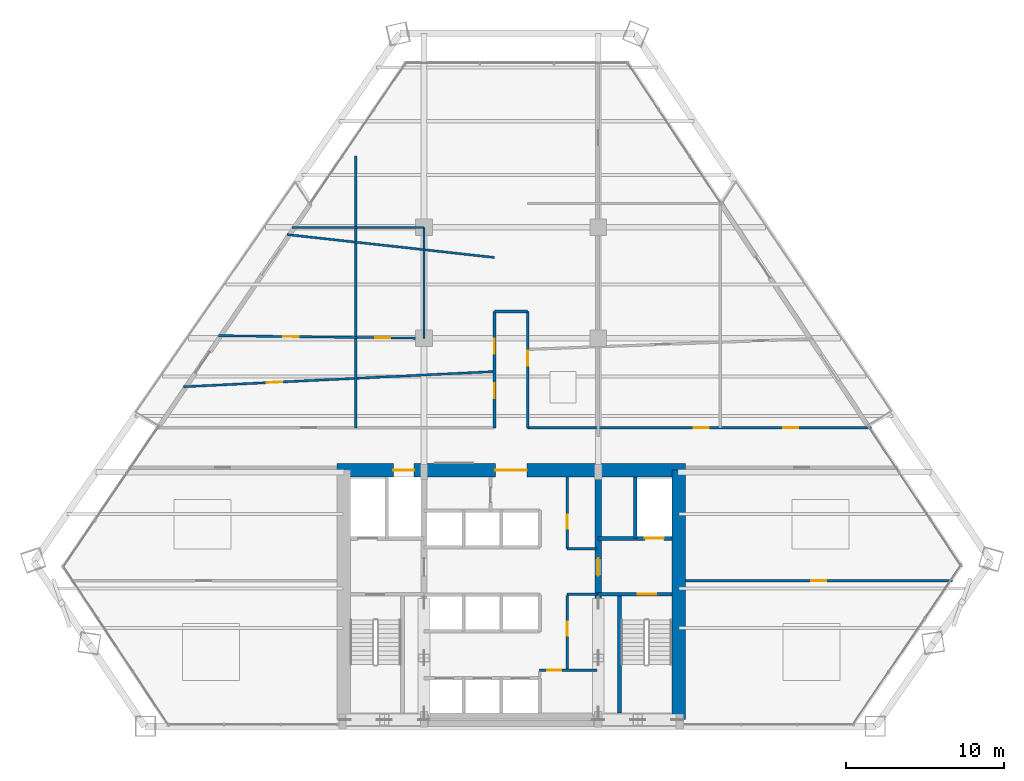
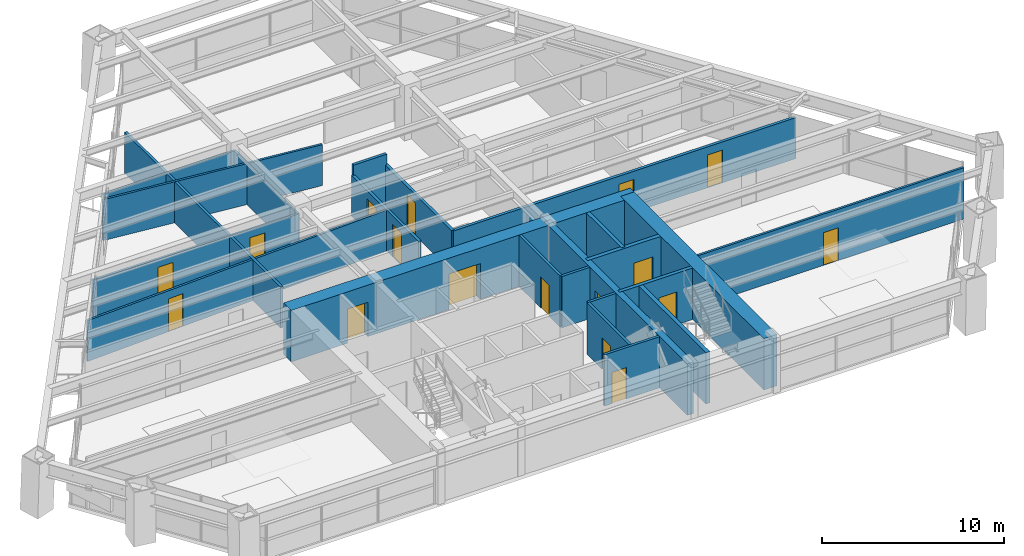
# One storey, part 11 of 14: 23 walls, 17 doors, 17 openings.
"""IFC4 building model written with IfcOpenShell, lengths in metres."""

from ifc_helpers import new_model, si_unit, direction, frame, frame_2d, origin, place, context, subcontext, project, spatial, rectangle, extrude, source, transform, mapped, material, layer, layer_set, type_object, type_shapes, element, fill, save


model = new_model("IFC4")

# Units and contexts
model_context = context("Model", 3, precision=1e-05, world=origin(), true_north=direction((0.0, 1.0)))
body_context = subcontext(model_context, "Body", "Model", "MODEL_VIEW")
ifc_project = project(units=[si_unit("LENGTHUNIT", "METRE"), si_unit("AREAUNIT", "SQUARE_METRE"), si_unit("VOLUMEUNIT", "CUBIC_METRE"), si_unit("PLANEANGLEUNIT", "RADIAN"), si_unit("MASSUNIT", "GRAM", prefix="KILO")], contexts=[model_context])

# Site, building, storey
site_placement = place(None, origin())
site = spatial("IfcSite", under=ifc_project, at=site_placement, CompositionType="ELEMENT")
building_placement = place(site_placement, origin())
building = spatial("IfcBuilding", under=site, at=building_placement, Name="Varnakhor Terracotta Tower", CompositionType="ELEMENT")
storey_placement = place(building_placement, frame((0.0, 0.0, 60.800048828125)))
storey = spatial("IfcBuildingStorey", under=building, at=storey_placement, Name="L14", CompositionType="ELEMENT", Elevation=60.800048828125)

# Wall, openings, doors
ifc_material_1 = material(Name="Concrete C60/75", Category="concrete")
ifc_layer_1 = layer(ifc_material_1, 0.85009765625, Name="Concrete C60/75")
ifc_layer_set_1 = layer_set([ifc_layer_1], Name="Concrete C60/75")
wall_type_1 = type_object("IfcWallType", Name="WAL-CORE-850", PredefinedType="SHEAR", material=ifc_layer_set_1)
wall_1_placement = place(storey_placement, frame((-11.0, 16.175048828125, 0.0), z_axis=(0.0, 0.0, 1.0), x_axis=(1.0, 0.0, 0.0)))
wall_1 = element("IfcWall", 1, at=wall_1_placement, inside=storey, type_object=wall_type_1, Name="L14 North Core Shear Wall", PredefinedType="SHEAR", context=body_context, shape_type="SweptSolid", body=[
    extrude(rectangle(XDim=22.0, YDim=0.85009765625, at=frame_2d((11.0, 0.0))), origin(), (0.0, 0.0, 1.0), 3.449951171875),
])
opening_1_placement = place(wall_1_placement, frame((3.570068359375, 0.0, 0.0)))
opening_1 = element("IfcOpeningElement", 2, at=opening_1_placement, cuts=wall_1, Name="Opening LD-03", PredefinedType="OPENING", context=body_context, shape_type="SweptSolid", body=[
    extrude(rectangle(XDim=1.300048828125, YDim=2.300048828125, at=frame_2d((0.64990234375, 1.14990234375))), frame((0.0, 0.43505859375, 0.0), z_axis=(0.0, -1.0, 0.0), x_axis=(1.0, 0.0, 0.0)), (0.0, 0.0, 1.0), 0.8701171875),
])
opening_2_placement = place(wall_1_placement, frame((10.0, 0.0, 0.0)))
opening_2 = element("IfcOpeningElement", 3, at=opening_2_placement, cuts=wall_1, Name="Opening DR-32", PredefinedType="OPENING", context=body_context, shape_type="SweptSolid", body=[
    extrude(rectangle(XDim=2.0, YDim=2.39990234375, at=frame_2d((1.0, 1.199951171875))), frame((0.0, 0.43505859375, 0.0), z_axis=(0.0, -1.0, 0.0), x_axis=(1.0, 0.0, 0.0)), (0.0, 0.0, 1.0), 0.8701171875),
])
ifc_material_2 = material(Name="Heavy-Duty Goods Sliding Lift Landing Door", Category="steel")
door_type_1 = type_object("IfcDoorType", Name="LD-SRV-1300X2300", OperationType="NOTDEFINED", PredefinedType="DOOR", material=ifc_material_2)
shared_shape_1 = source(origin(), body_context, "Body", "SweptSolid", [
    extrude(rectangle(XDim=1.300048828125, YDim=2.300048828125, at=frame_2d((0.64990234375, 1.14990234375))), frame((0.0, 0.02490234375, 0.0), z_axis=(0.0, -1.0, 0.0), x_axis=(1.0, 0.0, 0.0)), (0.0, 0.0, 1.0), 0.050048828125),
])
type_shapes(door_type_1, [shared_shape_1])
door_1_placement = place(opening_1_placement, origin())
door_1 = element("IfcDoor", 4, at=door_1_placement, inside=storey, type_object=door_type_1, Name="L14 Service Lift SVL-1 Landing Door", OperationType="SLIDING_TO_RIGHT", OverallHeight=2.300048828125, OverallWidth=1.300048828125, PredefinedType="DOOR", context=body_context, shape_type="MappedRepresentation", body=[
    mapped(shared_shape_1, transform((0.0, 0.0, 0.0), scale=1.0)),
])
fill(opening_1, door_1)
ifc_material_3 = material(Name="Acoustic Double Assembly Fire Door", Category="wood")
door_type_2 = type_object("IfcDoorType", Name="DR-HALL-2000X2400", OperationType="NOTDEFINED", PredefinedType="DOOR", material=ifc_material_3)
shared_shape_2 = source(origin(), body_context, "Body", "SweptSolid", [
    extrude(rectangle(XDim=2.0, YDim=2.39990234375, at=frame_2d((1.0, 1.199951171875))), frame((0.0, 0.02490234375, 0.0), z_axis=(0.0, -1.0, 0.0), x_axis=(1.0, 0.0, 0.0)), (0.0, 0.0, 1.0), 0.050048828125),
])
type_shapes(door_type_2, [shared_shape_2])
door_2_placement = place(opening_2_placement, origin())
door_2 = element("IfcDoor", 5, at=door_2_placement, inside=storey, type_object=door_type_2, Name="L14 Core Main Lobby Double Door", OperationType="DOUBLE_DOOR_SINGLE_SWING", OverallHeight=2.39990234375, OverallWidth=2.0, PredefinedType="DOOR", context=body_context, shape_type="MappedRepresentation", body=[
    mapped(shared_shape_2, transform((0.0, 0.0, 0.0), scale=1.0)),
])
fill(opening_2, door_2)

# Wall
wall_2_placement = place(storey_placement, frame((10.574951171875, 0.425048828125, 0.0), z_axis=(0.0, 0.0, 1.0), x_axis=(0.0, 1.0, 0.0)))
element("IfcWall", 6, at=wall_2_placement, inside=storey, type_object=wall_type_1, Name="L14 East Core Shear Wall", PredefinedType="SHEAR", context=body_context, shape_type="SweptSolid", body=[
    extrude(rectangle(XDim=15.75, YDim=0.85009765625, at=frame_2d((7.875, 0.0))), origin(), (0.0, 0.0, 1.0), 3.449951171875),
])

# Wall, opening, door
ifc_material_4 = material(Name="Concrete C50/60", Category="concrete")
ifc_layer_2 = layer(ifc_material_4, 0.39990234375, Name="Concrete C50/60")
ifc_layer_set_2 = layer_set([ifc_layer_2], Name="Concrete C50/60")
wall_type_2 = type_object("IfcWallType", Name="WAL-CORE-WEB-400", PredefinedType="SHEAR", material=ifc_layer_set_2)
wall_3_placement = place(storey_placement, frame((5.5, 0.425048828125, 0.0), z_axis=(0.0, 0.0, 1.0), x_axis=(0.0, 1.0, 0.0)))
wall_3 = element("IfcWall", 7, at=wall_3_placement, inside=storey, type_object=wall_type_2, Name="L14 East Core Web Shear Wall", PredefinedType="SHEAR", context=body_context, shape_type="SweptSolid", body=[
    extrude(rectangle(XDim=15.75, YDim=0.39990234375, at=frame_2d((7.875, 0.0))), origin(), (0.0, 0.0, 1.0), 3.449951171875),
])
opening_3_placement = place(wall_3_placement, frame((9.074951171875, 0.0, 0.0)))
opening_3 = element("IfcOpeningElement", 8, at=opening_3_placement, cuts=wall_3, Name="Opening DR-25", PredefinedType="OPENING", context=body_context, shape_type="SweptSolid", body=[
    extrude(rectangle(XDim=1.10009765625, YDim=2.199951171875, at=frame_2d((0.550048828125, 1.10009765625))), frame((0.0, 0.2099609375, 0.0), z_axis=(0.0, -1.0, 0.0), x_axis=(1.0, 0.0, 0.0)), (0.0, 0.0, 1.0), 0.419921875),
])
ifc_material_5 = material(Name="Firefighting Lobby Self-Closing Fire Door", Category="steel")
door_type_3 = type_object("IfcDoorType", Name="DR-FFL-1100X2200", OperationType="NOTDEFINED", PredefinedType="DOOR", material=ifc_material_5)
shared_shape_3 = source(origin(), body_context, "Body", "SweptSolid", [
    extrude(rectangle(XDim=1.10009765625, YDim=2.199951171875, at=frame_2d((0.550048828125, 1.10009765625))), frame((0.0, 0.02490234375, 0.0), z_axis=(0.0, -1.0, 0.0), x_axis=(1.0, 0.0, 0.0)), (0.0, 0.0, 1.0), 0.050048828125),
])
type_shapes(door_type_3, [shared_shape_3])
door_3_placement = place(opening_3_placement, origin())
door_3 = element("IfcDoor", 9, at=door_3_placement, inside=storey, type_object=door_type_3, Name="L14 East Firefighting Lobby Door", OperationType="SINGLE_SWING_RIGHT", OverallHeight=2.199951171875, OverallWidth=1.10009765625, PredefinedType="DOOR", context=body_context, shape_type="MappedRepresentation", body=[
    mapped(shared_shape_3, transform((0.0, 0.0, 0.0), scale=1.0)),
])
fill(opening_3, door_3)

# Wall, openings, doors
ifc_material_6 = material(Name="Fire-Rated Gypsum Stud Partition", Category="gypsum")
ifc_layer_3 = layer(ifc_material_6, 0.18505859375, Name="Fire-Rated Gypsum Stud Partition")
ifc_layer_set_3 = layer_set([ifc_layer_3], Name="Fire-Rated Gypsum Stud Partition")
wall_type_3 = type_object("IfcWallType", Name="WAL-CORR-185", PredefinedType="PARTITIONING", material=ifc_layer_set_3)
wall_4_placement = place(storey_placement, frame((1.050048828125, 18.85009765625, 0.0), z_axis=(0.0, 0.0, 1.0), x_axis=(1.0, 0.0, 0.0)))
wall_4 = element("IfcWall", 10, at=wall_4_placement, inside=storey, type_object=wall_type_3, Name="L14 Corridor North East Wall", PredefinedType="PARTITIONING", context=body_context, shape_type="SweptSolid", body=[
    extrude(rectangle(XDim=21.711669921875, YDim=0.18505859375, at=frame_2d((10.85595703125, 0.0))), origin(), (0.0, 0.0, 1.0), 2.7470703125),
])
opening_4_placement = place(wall_4_placement, frame((10.485107421875, 0.0, 0.0)))
opening_4 = element("IfcOpeningElement", 11, at=opening_4_placement, cuts=wall_4, Name="Opening DR-94", PredefinedType="OPENING", context=body_context, shape_type="SweptSolid", body=[
    extrude(rectangle(XDim=0.949951171875, YDim=2.199951171875, at=frame_2d((0.47509765625, 1.10009765625))), frame((0.0, 0.1025390625, 0.0), z_axis=(0.0, -1.0, 0.0), x_axis=(1.0, 0.0, 0.0)), (0.0, 0.0, 1.0), 0.205078125),
])
opening_5_placement = place(wall_4_placement, frame((16.118408203125, 0.0, 0.0)))
opening_5 = element("IfcOpeningElement", 12, at=opening_5_placement, cuts=wall_4, Name="Opening DR-94", PredefinedType="OPENING", context=body_context, shape_type="SweptSolid", body=[
    extrude(rectangle(XDim=0.949951171875, YDim=2.199951171875, at=frame_2d((0.47509765625, 1.10009765625))), frame((0.0, 0.1025390625, 0.0), z_axis=(0.0, -1.0, 0.0), x_axis=(1.0, 0.0, 0.0)), (0.0, 0.0, 1.0), 0.205078125),
])
ifc_material_7 = material(Name="Acoustic Glazed-Vision Timber Office Door", Category="wood")
door_type_4 = type_object("IfcDoorType", Name="DR-OFF-950X2200", OperationType="NOTDEFINED", PredefinedType="DOOR", material=ifc_material_7)
shared_shape_4 = source(origin(), body_context, "Body", "SweptSolid", [
    extrude(rectangle(XDim=0.949951171875, YDim=2.199951171875, at=frame_2d((0.47509765625, 1.10009765625))), frame((0.0, 0.02490234375, 0.0), z_axis=(0.0, -1.0, 0.0), x_axis=(1.0, 0.0, 0.0)), (0.0, 0.0, 1.0), 0.050048828125),
])
type_shapes(door_type_4, [shared_shape_4])
door_4_placement = place(opening_4_placement, origin())
door_4 = element("IfcDoor", 13, at=door_4_placement, inside=storey, type_object=door_type_4, Name="L14 East Workplace Door", OperationType="SINGLE_SWING_RIGHT", OverallHeight=2.199951171875, OverallWidth=0.949951171875, PredefinedType="DOOR", context=body_context, shape_type="MappedRepresentation", body=[
    mapped(shared_shape_4, transform((0.0, 0.0, 0.0), scale=1.0)),
])
fill(opening_4, door_4)
door_5_placement = place(opening_5_placement, origin())
door_5 = element("IfcDoor", 14, at=door_5_placement, inside=storey, type_object=door_type_4, Name="L14 Legal Chambers W1 Door", OperationType="SINGLE_SWING_LEFT", OverallHeight=2.199951171875, OverallWidth=0.949951171875, PredefinedType="DOOR", context=body_context, shape_type="MappedRepresentation", body=[
    mapped(shared_shape_4, transform((0.0, 0.0, 0.0), scale=1.0)),
])
fill(opening_5, door_5)

wall_5_placement = place(storey_placement, frame((-1.050048828125, 18.85009765625, 0.0), z_axis=(0.0, 0.0, 1.0), x_axis=(0.0, 1.0, 0.0)))
wall_5 = element("IfcWall", 15, at=wall_5_placement, inside=storey, type_object=wall_type_3, Name="L14 Spine West Wall", PredefinedType="PARTITIONING", context=body_context, shape_type="SweptSolid", body=[
    extrude(rectangle(XDim=7.349853515625, YDim=0.18505859375, at=frame_2d((3.6748046875, 0.0))), origin(), (0.0, 0.0, 1.0), 2.7470703125),
])
opening_6_placement = place(wall_5_placement, frame((1.865966796875, 0.0, 0.0)))
opening_6 = element("IfcOpeningElement", 16, at=opening_6_placement, cuts=wall_5, Name="Opening DR-94", PredefinedType="OPENING", context=body_context, shape_type="SweptSolid", body=[
    extrude(rectangle(XDim=0.949951171875, YDim=2.199951171875, at=frame_2d((0.47509765625, 1.10009765625))), frame((0.0, 0.1025390625, 0.0), z_axis=(0.0, -1.0, 0.0), x_axis=(1.0, 0.0, 0.0)), (0.0, 0.0, 1.0), 0.205078125),
])
opening_7_placement = place(wall_5_placement, frame((4.664794921875, 0.0, 0.0)))
opening_7 = element("IfcOpeningElement", 17, at=opening_7_placement, cuts=wall_5, Name="Opening DR-94", PredefinedType="OPENING", context=body_context, shape_type="SweptSolid", body=[
    extrude(rectangle(XDim=0.949951171875, YDim=2.199951171875, at=frame_2d((0.47509765625, 1.10009765625))), frame((0.0, 0.1025390625, 0.0), z_axis=(0.0, -1.0, 0.0), x_axis=(1.0, 0.0, 0.0)), (0.0, 0.0, 1.0), 0.205078125),
])
door_6_placement = place(opening_6_placement, origin())
door_6 = element("IfcDoor", 18, at=door_6_placement, inside=storey, type_object=door_type_4, Name="L14 Spine West Door", OperationType="SINGLE_SWING_LEFT", OverallHeight=2.199951171875, OverallWidth=0.949951171875, PredefinedType="DOOR", context=body_context, shape_type="MappedRepresentation", body=[
    mapped(shared_shape_4, transform((0.0, 0.0, 0.0), scale=1.0)),
])
fill(opening_6, door_6)
door_7_placement = place(opening_7_placement, origin())
door_7 = element("IfcDoor", 19, at=door_7_placement, inside=storey, type_object=door_type_4, Name="L14 Legal Chambers W2 Door", OperationType="SINGLE_SWING_RIGHT", OverallHeight=2.199951171875, OverallWidth=0.949951171875, PredefinedType="DOOR", context=body_context, shape_type="MappedRepresentation", body=[
    mapped(shared_shape_4, transform((0.0, 0.0, 0.0), scale=1.0)),
])
fill(opening_7, door_7)

# Wall, opening, door
wall_6_placement = place(storey_placement, frame((1.050048828125, 18.85009765625, 0.0), z_axis=(0.0, 0.0, 1.0), x_axis=(0.0, 1.0, 0.0)))
wall_6 = element("IfcWall", 20, at=wall_6_placement, inside=storey, type_object=wall_type_3, Name="L14 Spine East Wall", PredefinedType="PARTITIONING", context=body_context, shape_type="SweptSolid", body=[
    extrude(rectangle(XDim=7.349853515625, YDim=0.18505859375, at=frame_2d((3.6748046875, 0.0))), origin(), (0.0, 0.0, 1.0), 2.7470703125),
])
opening_8_placement = place(wall_6_placement, frame((3.919921875, 0.0, 0.0)))
opening_8 = element("IfcOpeningElement", 21, at=opening_8_placement, cuts=wall_6, Name="Opening DR-94", PredefinedType="OPENING", context=body_context, shape_type="SweptSolid", body=[
    extrude(rectangle(XDim=0.949951171875, YDim=2.199951171875, at=frame_2d((0.47509765625, 1.10009765625))), frame((0.0, 0.1025390625, 0.0), z_axis=(0.0, -1.0, 0.0), x_axis=(1.0, 0.0, 0.0)), (0.0, 0.0, 1.0), 0.205078125),
])
door_8_placement = place(opening_8_placement, origin())
door_8 = element("IfcDoor", 22, at=door_8_placement, inside=storey, type_object=door_type_4, Name="L14 Spine East Door", OperationType="SINGLE_SWING_RIGHT", OverallHeight=2.199951171875, OverallWidth=0.949951171875, PredefinedType="DOOR", context=body_context, shape_type="MappedRepresentation", body=[
    mapped(shared_shape_4, transform((0.0, 0.0, 0.0), scale=1.0)),
])
fill(opening_8, door_8)

# Wall
wall_7_placement = place(storey_placement, frame((-1.050048828125, 26.199951171875, 0.0), z_axis=(0.0, 0.0, 1.0), x_axis=(1.0, 0.0, 0.0)))
element("IfcWall", 23, at=wall_7_placement, inside=storey, type_object=wall_type_3, Name="L14 Spine North End Wall", PredefinedType="PARTITIONING", context=body_context, shape_type="SweptSolid", body=[
    extrude(rectangle(XDim=2.10009765625, YDim=0.18505859375, at=frame_2d((1.050048828125, 0.0))), origin(), (0.0, 0.0, 1.0), 3.44189453125),
])

# Wall, opening, door
ifc_material_8 = material(Name="Concrete C40/50", Category="concrete")
ifc_layer_4 = layer(ifc_material_8, 0.219970703125, Name="Concrete C40/50")
ifc_layer_set_4 = layer_set([ifc_layer_4], Name="Concrete C40/50")
wall_type_4 = type_object("IfcWallType", Name="WAL-FFLOBBY-220", PredefinedType="SOLIDWALL", material=ifc_layer_set_4)
wall_8_placement = place(storey_placement, frame((10.14990234375, 8.35009765625, 0.0), z_axis=(0.0, 0.0, 1.0), x_axis=(-1.0, 0.0, 0.0)))
wall_8 = element("IfcWall", 24, at=wall_8_placement, inside=storey, type_object=wall_type_4, Name="L14 East Firefighting Lobby Stair Wall", PredefinedType="SOLIDWALL", context=body_context, shape_type="SweptSolid", body=[
    extrude(rectangle(XDim=4.64990234375, YDim=0.219970703125, at=frame_2d((2.324951171875, 0.0))), origin(), (0.0, 0.0, 1.0), 3.449951171875),
])
opening_9_placement = place(wall_8_placement, frame((1.0, 0.0, 0.0)))
opening_9 = element("IfcOpeningElement", 25, at=opening_9_placement, cuts=wall_8, Name="Opening DR-34", PredefinedType="OPENING", context=body_context, shape_type="SweptSolid", body=[
    extrude(rectangle(XDim=1.14990234375, YDim=2.199951171875, at=frame_2d((0.574951171875, 1.10009765625))), frame((0.0, 0.1201171875, 0.0), z_axis=(0.0, -1.0, 0.0), x_axis=(1.0, 0.0, 0.0)), (0.0, 0.0, 1.0), 0.239990234375),
])
ifc_material_9 = material(Name="Self-Closing Smoke-Sealed Steel Fire Door", Category="steel")
door_type_5 = type_object("IfcDoorType", Name="DR-STAIR-1150X2200", OperationType="NOTDEFINED", PredefinedType="DOOR", material=ifc_material_9)
shared_shape_5 = source(origin(), body_context, "Body", "SweptSolid", [
    extrude(rectangle(XDim=1.14990234375, YDim=2.199951171875, at=frame_2d((0.574951171875, 1.10009765625))), frame((0.0, 0.02490234375, 0.0), z_axis=(0.0, -1.0, 0.0), x_axis=(1.0, 0.0, 0.0)), (0.0, 0.0, 1.0), 0.050048828125),
])
type_shapes(door_type_5, [shared_shape_5])
door_9_placement = place(opening_9_placement, origin())
door_9 = element("IfcDoor", 26, at=door_9_placement, inside=storey, type_object=door_type_5, Name="L14 Exit Stair ST-2 Fire Door", OperationType="SINGLE_SWING_LEFT", OverallHeight=2.199951171875, OverallWidth=1.14990234375, PredefinedType="DOOR", context=body_context, shape_type="MappedRepresentation", body=[
    mapped(shared_shape_5, transform((0.0, 0.0, 0.0), scale=1.0)),
])
fill(opening_9, door_9)

# Wall, openings, doors
ifc_material_10 = material(Name="Acoustic Metal-Stud Partition", Category="gypsum")
ifc_layer_5 = layer(ifc_material_10, 0.139892578125, Name="Acoustic Metal-Stud Partition")
ifc_layer_set_5 = layer_set([ifc_layer_5], Name="Acoustic Metal-Stud Partition")
wall_type_5 = type_object("IfcWallType", Name="WAL-PART-140", PredefinedType="PARTITIONING", material=ifc_layer_set_5)
wall_9_placement = place(storey_placement, frame((-18.4833984375, 24.665283203125, 0.0), z_axis=(0.0, 0.0, 1.0), x_axis=(0.999918978945, -0.012729318329, 0.0)))
wall_9 = element("IfcWall", 27, at=wall_9_placement, inside=storey, type_object=wall_type_5, Name="L14 West Y24.5 Column Wall", PredefinedType="PARTITIONING", context=body_context, shape_type="SweptSolid", body=[
    extrude(rectangle(XDim=12.984375, YDim=0.139892578125, at=frame_2d((6.4921875, 0.0))), origin(), (0.0, 0.0, 1.0), 2.7470703125),
])
opening_10_placement = place(wall_9_placement, frame((4.114501953125, 0.0, 0.0)))
opening_10 = element("IfcOpeningElement", 28, at=opening_10_placement, cuts=wall_9, Name="Opening DR-94", PredefinedType="OPENING", context=body_context, shape_type="SweptSolid", body=[
    extrude(rectangle(XDim=0.949951171875, YDim=2.199951171875, at=frame_2d((0.47509765625, 1.10009765625))), frame((0.0, 0.080078125, 0.0), z_axis=(0.0, -1.0, 0.0), x_axis=(1.0, 0.0, 0.0)), (0.0, 0.0, 1.0), 0.159912109375),
])
opening_11_placement = place(wall_9_placement, frame((9.907470703125, 0.0, 0.0)))
opening_11 = element("IfcOpeningElement", 29, at=opening_11_placement, cuts=wall_9, Name="Opening DR-94", PredefinedType="OPENING", context=body_context, shape_type="SweptSolid", body=[
    extrude(rectangle(XDim=0.949951171875, YDim=2.199951171875, at=frame_2d((0.47509765625, 1.10009765625))), frame((0.0, 0.080078125, 0.0), z_axis=(0.0, -1.0, 0.0), x_axis=(1.0, 0.0, 0.0)), (0.0, 0.0, 1.0), 0.159912109375),
])
door_10_placement = place(opening_10_placement, origin())
door_10 = element("IfcDoor", 30, at=door_10_placement, inside=storey, type_object=door_type_4, Name="L14 Counsel Office E2 B13 Door", OperationType="SINGLE_SWING_RIGHT", OverallHeight=2.199951171875, OverallWidth=0.949951171875, PredefinedType="DOOR", context=body_context, shape_type="MappedRepresentation", body=[
    mapped(shared_shape_4, transform((0.0, 0.0, 0.0), scale=1.0)),
])
fill(opening_10, door_10)
door_11_placement = place(opening_11_placement, origin())
door_11 = element("IfcDoor", 31, at=door_11_placement, inside=storey, type_object=door_type_4, Name="L14 Tea Point B14 Door", OperationType="SINGLE_SWING_LEFT", OverallHeight=2.199951171875, OverallWidth=0.949951171875, PredefinedType="DOOR", context=body_context, shape_type="MappedRepresentation", body=[
    mapped(shared_shape_4, transform((0.0, 0.0, 0.0), scale=1.0)),
])
fill(opening_11, door_11)

# Walls
wall_10_placement = place(storey_placement, frame((-5.5, 24.5, 0.0), z_axis=(0.0, 0.0, 1.0), x_axis=(0.0, 1.0, 0.0)))
element("IfcWall", 32, at=wall_10_placement, inside=storey, type_object=wall_type_5, Name="L14 West Mid Link Wall", PredefinedType="PARTITIONING", context=body_context, shape_type="SweptSolid", body=[
    extrude(rectangle(XDim=7.0, YDim=0.139892578125, at=frame_2d((3.5, 0.0))), origin(), (0.0, 0.0, 1.0), 2.7470703125),
])
wall_11_placement = place(storey_placement, frame((-13.835693359375, 31.5, 0.0), z_axis=(0.0, 0.0, 1.0), x_axis=(1.0, 0.0, 0.0)))
element("IfcWall", 33, at=wall_11_placement, inside=storey, type_object=wall_type_5, Name="L14 West Y31.5 Column Wall", PredefinedType="PARTITIONING", context=body_context, shape_type="SweptSolid", body=[
    extrude(rectangle(XDim=8.335693359375, YDim=0.139892578125, at=frame_2d((4.16796875, 0.0))), origin(), (0.0, 0.0, 1.0), 2.7470703125),
])

# Wall, opening, door
wall_12_placement = place(storey_placement, frame((-20.676513671875, 21.440185546875, 0.0), z_axis=(0.0, 0.0, 1.0), x_axis=(0.998806577977, 0.048840759523, 0.0)))
wall_12 = element("IfcWall", 34, at=wall_12_placement, inside=storey, type_object=wall_type_5, Name="L14 West Wing Cut 1", PredefinedType="PARTITIONING", context=body_context, shape_type="SweptSolid", body=[
    extrude(rectangle(XDim=19.64990234375, YDim=0.139892578125, at=frame_2d((9.824951171875, 0.0))), origin(), (0.0, 0.0, 1.0), 2.7470703125),
])
opening_12_placement = place(wall_12_placement, frame((5.271240234375, 0.0, 0.0)))
opening_12 = element("IfcOpeningElement", 35, at=opening_12_placement, cuts=wall_12, Name="Opening DR-94", PredefinedType="OPENING", context=body_context, shape_type="SweptSolid", body=[
    extrude(rectangle(XDim=0.949951171875, YDim=2.199951171875, at=frame_2d((0.47509765625, 1.10009765625))), frame((0.0, 0.080078125, 0.0), z_axis=(0.0, -1.0, 0.0), x_axis=(1.0, 0.0, 0.0)), (0.0, 0.0, 1.0), 0.159912109375),
])
door_12_placement = place(opening_12_placement, origin())
door_12 = element("IfcDoor", 36, at=door_12_placement, inside=storey, type_object=door_type_4, Name="L14 Law Library Reading Room Door", OperationType="SINGLE_SWING_RIGHT", OverallHeight=2.199951171875, OverallWidth=0.949951171875, PredefinedType="DOOR", context=body_context, shape_type="MappedRepresentation", body=[
    mapped(shared_shape_4, transform((0.0, 0.0, 0.0), scale=1.0)),
])
fill(opening_12, door_12)

# Wall
wall_13_placement = place(storey_placement, frame((-14.143798828125, 31.046875, 0.0), z_axis=(0.0, 0.0, 1.0), x_axis=(0.993950900721, -0.10982534751, 0.0)))
element("IfcWall", 37, at=wall_13_placement, inside=storey, type_object=wall_type_5, Name="L14 West Wing Cut 2", PredefinedType="PARTITIONING", context=body_context, shape_type="SweptSolid", body=[
    extrude(rectangle(XDim=13.17333984375, YDim=0.139892578125, at=frame_2d((6.586669921875, 0.0))), origin(), (0.0, 0.0, 1.0), 2.7470703125),
])

# Wall, opening, door
wall_14_placement = place(storey_placement, frame((11.02001953125, 9.199951171875, 0.0), z_axis=(0.0, 0.0, 1.0), x_axis=(1.0, 0.0, 0.0)))
wall_14 = element("IfcWall", 38, at=wall_14_placement, inside=storey, type_object=wall_type_5, Name="L14 South East Cut 1", PredefinedType="PARTITIONING", context=body_context, shape_type="SweptSolid", body=[
    extrude(rectangle(XDim=16.8515625, YDim=0.139892578125, at=frame_2d((8.42578125, 0.0))), origin(), (0.0, 0.0, 1.0), 3.44189453125),
])
opening_13_placement = place(wall_14_placement, frame((7.93798828125, 0.0, 0.0)))
opening_13 = element("IfcOpeningElement", 39, at=opening_13_placement, cuts=wall_14, Name="Opening DR-94", PredefinedType="OPENING", context=body_context, shape_type="SweptSolid", body=[
    extrude(rectangle(XDim=0.949951171875, YDim=2.199951171875, at=frame_2d((0.47509765625, 1.10009765625))), frame((0.0, 0.080078125, 0.0), z_axis=(0.0, -1.0, 0.0), x_axis=(1.0, 0.0, 0.0)), (0.0, 0.0, 1.0), 0.159912109375),
])
door_13_placement = place(opening_13_placement, origin())
door_13 = element("IfcDoor", 40, at=door_13_placement, inside=storey, type_object=door_type_4, Name="L14 South East Conference Room Door", OperationType="SINGLE_SWING_RIGHT", OverallHeight=2.199951171875, OverallWidth=0.949951171875, PredefinedType="DOOR", context=body_context, shape_type="MappedRepresentation", body=[
    mapped(shared_shape_4, transform((0.0, 0.0, 0.0), scale=1.0)),
])
fill(opening_13, door_13)

# Walls
ifc_layer_6 = layer(ifc_material_8, 0.219970703125, Name="Concrete C40/50")
ifc_layer_set_6 = layer_set([ifc_layer_6], Name="Concrete C40/50")
wall_type_6 = type_object("IfcWallType", Name="WAL-SHAFT-220", PredefinedType="SOLIDWALL", material=ifc_layer_set_6)
wall_15_placement = place(storey_placement, frame((7.840087890625, 11.8701171875, 0.0), z_axis=(0.0, 0.0, 1.0), x_axis=(0.0, 1.0, 0.0)))
element("IfcWall", 41, at=wall_15_placement, inside=storey, type_object=wall_type_6, Name="L14 Lift FFL-2 and Riser Divider Wall", PredefinedType="SOLIDWALL", context=body_context, shape_type="SweptSolid", body=[
    extrude(rectangle(XDim=3.8798828125, YDim=0.219970703125, at=frame_2d((1.93994140625, 0.0))), origin(), (0.0, 0.0, 1.0), 3.449951171875),
])
ifc_layer_7 = layer(ifc_material_8, 0.25, Name="Concrete C40/50")
ifc_layer_set_7 = layer_set([ifc_layer_7], Name="Concrete C40/50")
wall_type_7 = type_object("IfcWallType", Name="WAL-SHAFT-250", PredefinedType="SOLIDWALL", material=ifc_layer_set_7)
wall_16_placement = place(storey_placement, frame((6.85009765625, 0.85009765625, 0.0), z_axis=(0.0, 0.0, 1.0), x_axis=(0.0, 1.0, 0.0)))
element("IfcWall", 42, at=wall_16_placement, inside=storey, type_object=wall_type_7, Name="L14 Stair ST-2 Bearing Shaft Wall", PredefinedType="SOLIDWALL", context=body_context, shape_type="SweptSolid", body=[
    extrude(rectangle(XDim=7.5, YDim=0.25, at=frame_2d((3.75, 0.0))), origin(), (0.0, 0.0, 1.0), 3.449951171875),
])

# Wall, opening, door
wall_17_placement = place(storey_placement, frame((10.14990234375, 11.8701171875, 0.0), z_axis=(0.0, 0.0, 1.0), x_axis=(-1.0, 0.0, 0.0)))
wall_17 = element("IfcWall", 43, at=wall_17_placement, inside=storey, type_object=wall_type_7, Name="L14 Lift FFL-2 Shaft Front Wall", PredefinedType="SOLIDWALL", context=body_context, shape_type="SweptSolid", body=[
    extrude(rectangle(XDim=4.64990234375, YDim=0.25, at=frame_2d((2.324951171875, 0.0))), origin(), (0.0, 0.0, 1.0), 3.449951171875),
])
opening_14_placement = place(wall_17_placement, frame((0.5, 0.0, 0.0)))
opening_14 = element("IfcOpeningElement", 44, at=opening_14_placement, cuts=wall_17, Name="Opening LD-02", PredefinedType="OPENING", context=body_context, shape_type="SweptSolid", body=[
    extrude(rectangle(XDim=1.199951171875, YDim=2.25, at=frame_2d((0.60009765625, 1.125))), frame((0.0, 0.135009765625, 0.0), z_axis=(0.0, -1.0, 0.0), x_axis=(1.0, 0.0, 0.0)), (0.0, 0.0, 1.0), 0.27001953125),
])
ifc_material_11 = material(Name="Firefighting Stretcher Sliding Lift Landing Door", Category="steel")
door_type_6 = type_object("IfcDoorType", Name="LD-FFL-1200X2250", OperationType="NOTDEFINED", PredefinedType="DOOR", material=ifc_material_11)
shared_shape_6 = source(origin(), body_context, "Body", "SweptSolid", [
    extrude(rectangle(XDim=1.199951171875, YDim=2.25, at=frame_2d((0.60009765625, 1.125))), frame((0.0, 0.02490234375, 0.0), z_axis=(0.0, -1.0, 0.0), x_axis=(1.0, 0.0, 0.0)), (0.0, 0.0, 1.0), 0.050048828125),
])
type_shapes(door_type_6, [shared_shape_6])
door_14_placement = place(opening_14_placement, origin())
door_14 = element("IfcDoor", 45, at=door_14_placement, inside=storey, type_object=door_type_6, Name="L14 Firefighting Lift FFL-2 Landing Door", OperationType="SLIDING_TO_RIGHT", OverallHeight=2.25, OverallWidth=1.199951171875, PredefinedType="DOOR", context=body_context, shape_type="MappedRepresentation", body=[
    mapped(shared_shape_6, transform((0.0, 0.0, 0.0), scale=1.0)),
])
fill(opening_14, door_14)

ifc_material_12 = material(Name="Acoustic Fire-Rated Partition", Category="gypsum")
ifc_layer_8 = layer(ifc_material_12, 0.1650390625, Name="Acoustic Fire-Rated Partition")
ifc_layer_set_8 = layer_set([ifc_layer_8], Name="Acoustic Fire-Rated Partition")
wall_type_8 = type_object("IfcWallType", Name="WAL-TENANCY-165", PredefinedType="PARTITIONING", material=ifc_layer_set_8)
wall_18_placement = place(storey_placement, frame((3.5400390625, 3.632568359375, 0.0), z_axis=(0.0, 0.0, 1.0), x_axis=(0.0, 1.0, 0.0)))
wall_18 = element("IfcWall", 46, at=wall_18_placement, inside=storey, type_object=wall_type_8, Name="L14 Core Service Rated Wall", PredefinedType="PARTITIONING", context=body_context, shape_type="SweptSolid", body=[
    extrude(rectangle(XDim=4.625, YDim=0.1650390625, at=frame_2d((2.3125, 0.0))), origin(), (0.0, 0.0, 1.0), 3.44189453125),
])
opening_15_placement = place(wall_18_placement, frame((2.081298828125, 0.0, 0.0)))
opening_15 = element("IfcOpeningElement", 47, at=opening_15_placement, cuts=wall_18, Name="Opening DR-67", PredefinedType="OPENING", context=body_context, shape_type="SweptSolid", body=[
    extrude(rectangle(XDim=0.89990234375, YDim=2.10009765625, at=frame_2d((0.449951171875, 1.050048828125))), frame((0.0, 0.092529296875, 0.0), z_axis=(0.0, -1.0, 0.0), x_axis=(1.0, 0.0, 0.0)), (0.0, 0.0, 1.0), 0.18505859375),
])
ifc_material_13 = material(Name="Steel Service Riser Fire Door", Category="steel")
door_type_7 = type_object("IfcDoorType", Name="DR-RISER-900X2100", OperationType="NOTDEFINED", PredefinedType="DOOR", material=ifc_material_13)
shared_shape_7 = source(origin(), body_context, "Body", "SweptSolid", [
    extrude(rectangle(XDim=0.89990234375, YDim=2.10009765625, at=frame_2d((0.449951171875, 1.050048828125))), frame((0.0, 0.02490234375, 0.0), z_axis=(0.0, -1.0, 0.0), x_axis=(1.0, 0.0, 0.0)), (0.0, 0.0, 1.0), 0.050048828125),
])
type_shapes(door_type_7, [shared_shape_7])
door_15_placement = place(opening_15_placement, origin())
door_15 = element("IfcDoor", 48, at=door_15_placement, inside=storey, type_object=door_type_7, Name="L14 Core Accessible WC Door", OperationType="SINGLE_SWING_RIGHT", OverallHeight=2.10009765625, OverallWidth=0.89990234375, PredefinedType="DOOR", context=body_context, shape_type="MappedRepresentation", body=[
    mapped(shared_shape_7, transform((0.0, 0.0, 0.0), scale=1.0)),
])
fill(opening_15, door_15)

# Wall
wall_19_placement = place(storey_placement, frame((3.5400390625, 8.340087890625, 0.0), z_axis=(0.0, 0.0, 1.0), x_axis=(1.0, 0.0, 0.0)))
element("IfcWall", 49, at=wall_19_placement, inside=storey, type_object=wall_type_8, Name="L14 Accessible WC North Wall", PredefinedType="PARTITIONING", context=body_context, shape_type="SweptSolid", body=[
    extrude(rectangle(XDim=1.8798828125, YDim=0.1650390625, at=frame_2d((0.93994140625, 0.0))), origin(), (0.0, 0.0, 1.0), 3.44189453125),
])

# Wall, opening, door
wall_20_placement = place(storey_placement, frame((1.800048828125, 3.550048828125, 0.0), z_axis=(0.0, 0.0, 1.0), x_axis=(1.0, 0.0, 0.0)))
wall_20 = element("IfcWall", 50, at=wall_20_placement, inside=storey, type_object=wall_type_8, Name="L14 Core South Service Rated Wall", PredefinedType="PARTITIONING", context=body_context, shape_type="SweptSolid", body=[
    extrude(rectangle(XDim=3.619873046875, YDim=0.1650390625, at=frame_2d((1.81005859375, 0.0))), origin(), (0.0, 0.0, 1.0), 3.44189453125),
])
opening_16_placement = place(wall_20_placement, frame((0.47998046875, 0.0, 0.0)))
opening_16 = element("IfcOpeningElement", 51, at=opening_16_placement, cuts=wall_20, Name="Opening DR-67", PredefinedType="OPENING", context=body_context, shape_type="SweptSolid", body=[
    extrude(rectangle(XDim=0.89990234375, YDim=2.10009765625, at=frame_2d((0.449951171875, 1.050048828125))), frame((0.0, 0.092529296875, 0.0), z_axis=(0.0, -1.0, 0.0), x_axis=(1.0, 0.0, 0.0)), (0.0, 0.0, 1.0), 0.18505859375),
])
door_16_placement = place(opening_16_placement, origin())
door_16 = element("IfcDoor", 52, at=door_16_placement, inside=storey, type_object=door_type_7, Name="L14 Core IT Room Door", OperationType="SINGLE_SWING_LEFT", OverallHeight=2.10009765625, OverallWidth=0.89990234375, PredefinedType="DOOR", context=body_context, shape_type="MappedRepresentation", body=[
    mapped(shared_shape_7, transform((0.0, 0.0, 0.0), scale=1.0)),
])
fill(opening_16, door_16)

wall_21_placement = place(storey_placement, frame((3.5400390625, 11.219970703125, 0.0), z_axis=(0.0, 0.0, 1.0), x_axis=(0.0, 1.0, 0.0)))
wall_21 = element("IfcWall", 53, at=wall_21_placement, inside=storey, type_object=wall_type_8, Name="L14 Restroom Corridor Wall", PredefinedType="PARTITIONING", context=body_context, shape_type="SweptSolid", body=[
    extrude(rectangle(XDim=4.530029296875, YDim=0.1650390625, at=frame_2d((2.26513671875, 0.0))), origin(), (0.0, 0.0, 1.0), 3.44189453125),
])
opening_17_placement = place(wall_21_placement, frame((1.25, 0.0, 0.0)))
opening_17 = element("IfcOpeningElement", 54, at=opening_17_placement, cuts=wall_21, Name="Opening DR-67", PredefinedType="OPENING", context=body_context, shape_type="SweptSolid", body=[
    extrude(rectangle(XDim=0.89990234375, YDim=2.10009765625, at=frame_2d((0.449951171875, 1.050048828125))), frame((0.0, 0.092529296875, 0.0), z_axis=(0.0, -1.0, 0.0), x_axis=(1.0, 0.0, 0.0)), (0.0, 0.0, 1.0), 0.18505859375),
])
door_17_placement = place(opening_17_placement, origin())
door_17 = element("IfcDoor", 55, at=door_17_placement, inside=storey, type_object=door_type_7, Name="L14 Female WC Door", OperationType="SINGLE_SWING_RIGHT", OverallHeight=2.10009765625, OverallWidth=0.89990234375, PredefinedType="DOOR", context=body_context, shape_type="MappedRepresentation", body=[
    mapped(shared_shape_7, transform((0.0, 0.0, 0.0), scale=1.0)),
])
fill(opening_17, door_17)

# Walls
wall_22_placement = place(storey_placement, frame((3.5400390625, 11.219970703125, 0.0), z_axis=(0.0, 0.0, 1.0), x_axis=(1.0, 0.0, 0.0)))
element("IfcWall", 56, at=wall_22_placement, inside=storey, type_object=wall_type_8, Name="L14 Restroom South Wall", PredefinedType="PARTITIONING", context=body_context, shape_type="SweptSolid", body=[
    extrude(rectangle(XDim=1.8798828125, YDim=0.1650390625, at=frame_2d((0.93994140625, 0.0))), origin(), (0.0, 0.0, 1.0), 3.44189453125),
])
wall_23_placement = place(storey_placement, frame((-9.800048828125, 18.85009765625, 0.0), z_axis=(0.0, 0.0, 1.0), x_axis=(0.0, 1.0, 0.0)))
element("IfcWall", 57, at=wall_23_placement, inside=storey, type_object=wall_type_8, Name="L14 West Cellular Line", PredefinedType="PARTITIONING", context=body_context, shape_type="SweptSolid", body=[
    extrude(rectangle(XDim=17.14990234375, YDim=0.1650390625, at=frame_2d((8.574951171875, 0.0))), origin(), (0.0, 0.0, 1.0), 2.7470703125),
])

save(model, "model.ifc")
